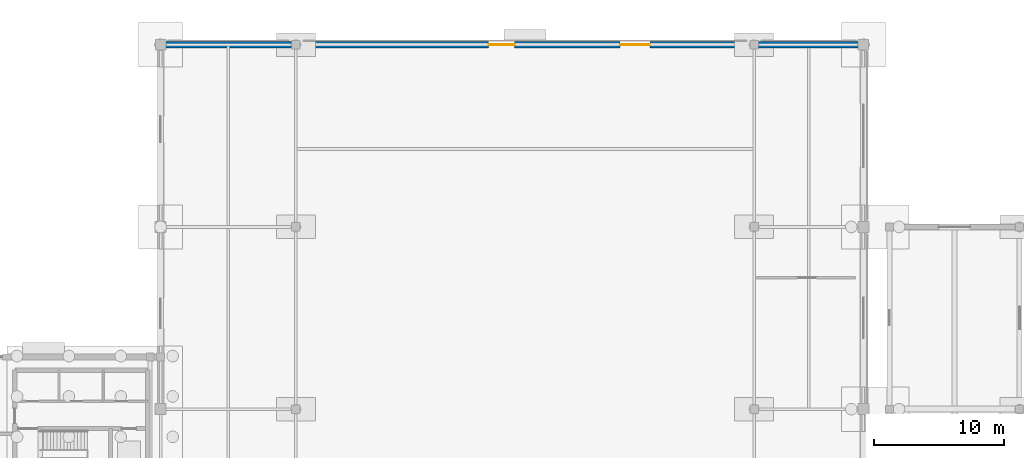
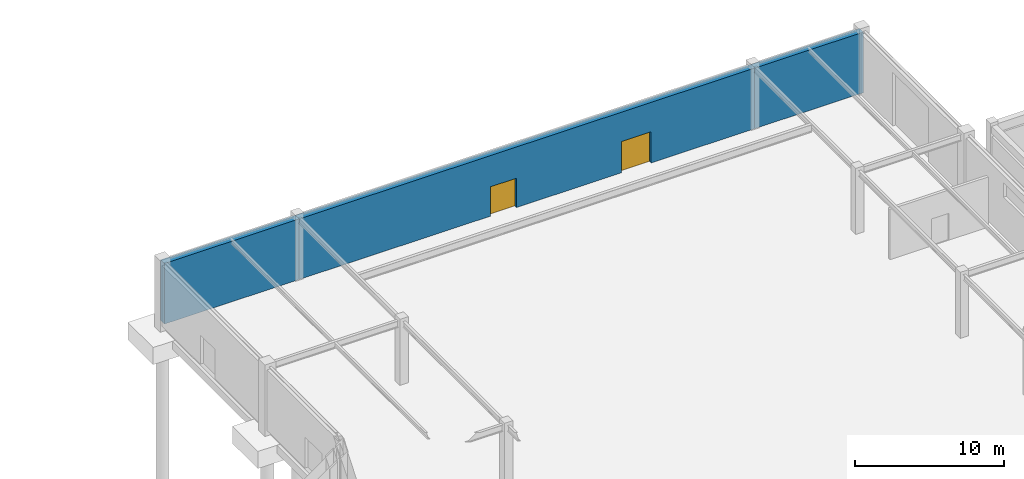
# One storey, part 38 of 53: 3 walls, 2 doors, 2 openings.
"""IFC4 building model written with IfcOpenShell, lengths in metres."""

from ifc_helpers import new_model, si_unit, derived_unit, direction, frame, frame_2d, origin, place, context, subcontext, project, spatial, rectangle, extrude, material, layer, layer_set, type_object, element, fill, save


model = new_model("IFC4")

# Units and contexts
model_context = context("Model", 3, precision=1e-05, world=origin(), true_north=direction((0.0, 1.0)))
body_context = subcontext(model_context, "Body", "Model", "MODEL_VIEW")
ifc_project = project(units=[si_unit("LENGTHUNIT", "METRE"), si_unit("AREAUNIT", "SQUARE_METRE"), si_unit("VOLUMEUNIT", "CUBIC_METRE"), si_unit("PLANEANGLEUNIT", "RADIAN"), si_unit("MASSUNIT", "GRAM", prefix="KILO"), derived_unit("THERMALTRANSMITTANCEUNIT", [(si_unit("POWERUNIT", "WATT"), 1), (si_unit("LENGTHUNIT", "METRE"), -2), (si_unit("THERMODYNAMICTEMPERATUREUNIT", "KELVIN"), -1)])], contexts=[model_context])

# Site, building, storey
site_placement = place(None, origin())
site = spatial("IfcSite", under=ifc_project, at=site_placement, CompositionType="ELEMENT")
building_placement = place(site_placement, origin())
building = spatial("IfcBuilding", under=site, at=building_placement, Name="Almenara Railside Exhibition Hall", CompositionType="ELEMENT")
storey_placement = place(building_placement, origin())
storey = spatial("IfcBuildingStorey", under=building, at=storey_placement, Name="L00", CompositionType="ELEMENT", Elevation=0.0)

# Wall
ifc_material_1 = material(Name="Ochre-white lime-rendered masonry over Concrete C35/45", Category="masonry")
ifc_layer = layer(ifc_material_1, 0.510009765625, Name="Ochre-white lime-rendered masonry over Concrete C35/45")
ifc_layer_set = layer_set([ifc_layer], Name="Ochre-white lime-rendered masonry over Concrete C35/45")
wall_type = type_object("IfcWallType", Name="Exterior East Hall Thermal Wall 510mm C35/45", PredefinedType="SOLIDWALL", material=ifc_layer_set)
wall_1_placement = place(storey_placement, frame((148.39990234375, 132.0, 0.0), z_axis=(0.0, 0.0, 1.0), x_axis=(-1.0, 0.0, 0.0)))
element("IfcWall", 1, at=wall_1_placement, inside=storey, type_object=wall_type, Name="Exterior wall 0102", PredefinedType="SOLIDWALL", context=body_context, shape_type="SweptSolid", body=[
    extrude(rectangle(XDim=10.39990234375, YDim=0.510009765625, at=frame_2d((5.199951171875, 0.0))), origin(), (0.0, 0.0, 1.0), 4.949951171875),
])

# Wall, openings, doors
wall_2_placement = place(storey_placement, frame((183.60009765625, 132.0, 0.0), z_axis=(0.0, 0.0, 1.0), x_axis=(-1.0, 0.0, 0.0)))
wall_2 = element("IfcWall", 2, at=wall_2_placement, inside=storey, type_object=wall_type, Name="Exterior wall 0104", PredefinedType="SOLIDWALL", context=body_context, shape_type="SweptSolid", body=[
    extrude(rectangle(XDim=35.2001953125, YDim=0.510009765625, at=frame_2d((17.60009765625, 0.0))), origin(), (0.0, 0.0, 1.0), 4.949951171875),
])
opening_1_placement = place(wall_2_placement, frame((8.0, 0.0, 0.0)))
opening_1 = element("IfcOpeningElement", 3, at=opening_1_placement, cuts=wall_2, Name="Opening ED-14", PredefinedType="OPENING", context=body_context, shape_type="SweptSolid", body=[
    extrude(rectangle(XDim=2.300048828125, YDim=2.550048828125, at=frame_2d((1.14990234375, 1.27490234375))), frame((0.0, 0.264892578125, 0.0), z_axis=(0.0, -1.0, 0.0), x_axis=(1.0, 0.0, 0.0)), (0.0, 0.0, 1.0), 0.530029296875),
])
opening_2_placement = place(wall_2_placement, frame((18.39990234375, 0.0, 0.0)))
opening_2 = element("IfcOpeningElement", 4, at=opening_2_placement, cuts=wall_2, Name="Opening ED-15", PredefinedType="OPENING", context=body_context, shape_type="SweptSolid", body=[
    extrude(rectangle(XDim=2.0, YDim=2.39990234375, at=frame_2d((1.0, 1.199951171875))), frame((0.0, 0.264892578125, 0.0), z_axis=(0.0, -1.0, 0.0), x_axis=(1.0, 0.0, 0.0)), (0.0, 0.0, 1.0), 0.530029296875),
])
ifc_material_2 = material(Name="Bronze-anodised glazed entrance door")
door_type_1 = type_object("IfcDoorType", Name="Hall Gable Double Exit Door 2300x2550", OperationType="NOTDEFINED", PredefinedType="DOOR", material=ifc_material_2)
door_1_placement = place(opening_1_placement, frame((2.300048828125, 0.0, 0.0), z_axis=(0.0, 0.0, 1.0), x_axis=(-1.0, 0.0, 0.0)))
door_1 = element("IfcDoor", 5, at=door_1_placement, inside=storey, type_object=door_type_1, Name="Exterior door ED-14", OperationType="DOUBLE_DOOR_SINGLE_SWING", OverallHeight=2.550048828125, OverallWidth=2.300048828125, PredefinedType="DOOR", context=body_context, shape_type="SweptSolid", body=[
    extrude(rectangle(XDim=2.300048828125, YDim=2.550048828125, at=frame_2d((1.14990234375, 1.27490234375))), frame((0.0, 0.02490234375, 0.0), z_axis=(0.0, -1.0, 0.0), x_axis=(1.0, 0.0, 0.0)), (0.0, 0.0, 1.0), 0.050048828125),
])
fill(opening_1, door_1)
ifc_material_3 = material(Name="Bronze-anodised glazed escape door")
door_type_2 = type_object("IfcDoorType", Name="Pavilion Double Escape Exit Door 2000x2400", OperationType="NOTDEFINED", PredefinedType="DOOR", material=ifc_material_3)
door_2_placement = place(opening_2_placement, frame((2.0, 0.0, 0.0), z_axis=(0.0, 0.0, 1.0), x_axis=(-1.0, 0.0, 0.0)))
door_2 = element("IfcDoor", 6, at=door_2_placement, inside=storey, type_object=door_type_2, Name="Exterior door ED-15", OperationType="DOUBLE_DOOR_SINGLE_SWING", OverallHeight=2.39990234375, OverallWidth=2.0, PredefinedType="DOOR", context=body_context, shape_type="SweptSolid", body=[
    extrude(rectangle(XDim=2.0, YDim=2.39990234375, at=frame_2d((1.0, 1.199951171875))), frame((0.0, 0.02490234375, 0.0), z_axis=(0.0, -1.0, 0.0), x_axis=(1.0, 0.0, 0.0)), (0.0, 0.0, 1.0), 0.050048828125),
])
fill(opening_2, door_2)

# Wall
wall_3_placement = place(storey_placement, frame((192.0, 132.0, 0.0), z_axis=(0.0, 0.0, 1.0), x_axis=(-1.0, 0.0, 0.0)))
element("IfcWall", 7, at=wall_3_placement, inside=storey, type_object=wall_type, Name="Exterior wall 0106", PredefinedType="SOLIDWALL", context=body_context, shape_type="SweptSolid", body=[
    extrude(rectangle(XDim=8.39990234375, YDim=0.510009765625, at=frame_2d((4.199951171875, 0.0))), origin(), (0.0, 0.0, 1.0), 4.949951171875),
])

save(model, "model.ifc")
